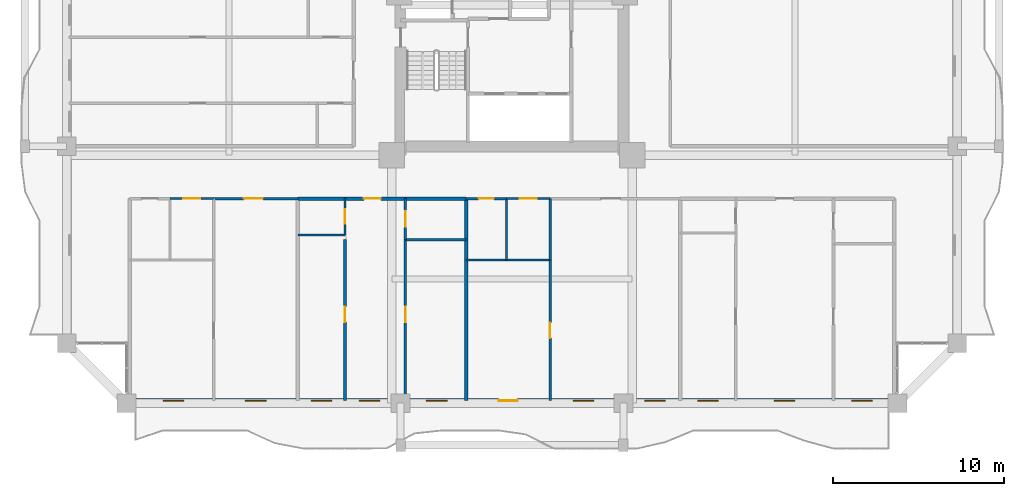
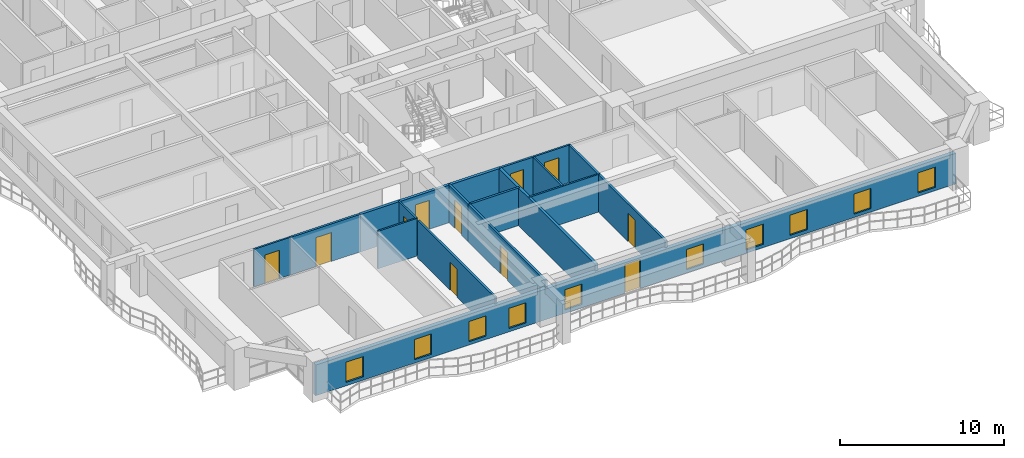
# One storey, part 14 of 27: 19 walls, 11 doors, 10 windows, 21 openings.
"""IFC4 building model written with IfcOpenShell, lengths in metres."""

from ifc_helpers import new_model, si_unit, direction, frame, frame_2d, origin, place, context, subcontext, project, spatial, rectangle, extrude, source, transform, mapped, material, layer, layer_set, type_object, element, fill, save


model = new_model("IFC4")

# Units and contexts
model_context = context("Model", 3, precision=1e-05, world=origin(), true_north=direction((0.0, 1.0)))
body_context = subcontext(model_context, "Body", "Model", "MODEL_VIEW")
ifc_project = project(units=[si_unit("LENGTHUNIT", "METRE"), si_unit("AREAUNIT", "SQUARE_METRE"), si_unit("VOLUMEUNIT", "CUBIC_METRE"), si_unit("PLANEANGLEUNIT", "RADIAN"), si_unit("MASSUNIT", "GRAM", prefix="KILO")], contexts=[model_context])

# Site, building, storey
site_placement = place(None, origin())
site = spatial("IfcSite", under=ifc_project, at=site_placement, CompositionType="ELEMENT")
building_placement = place(site_placement, origin())
building = spatial("IfcBuilding", under=site, at=building_placement, Name="Saelheon Loggia Tower", CompositionType="ELEMENT")
storey_placement = place(building_placement, frame((0.0, 0.0, 52.39990234375)))
storey = spatial("IfcBuildingStorey", under=building, at=storey_placement, Name="L16", CompositionType="ELEMENT", Elevation=52.39990234375)

# Wall, openings, windows, door
ifc_material_1 = material(Name="Architectural Precast Concrete C40/50", Category="concrete")
ifc_layer_1 = layer(ifc_material_1, 0.280029296875)
ifc_layer_set_1 = layer_set([ifc_layer_1], Name="Architectural Precast Concrete C40/50")
wall_type_1 = type_object("IfcWallType", Name="Wall_Ext_Loggia_280", PredefinedType="SOLIDWALL", material=ifc_layer_set_1)
wall_1_placement = place(storey_placement, frame((15.5, 3.139892578125, 0.0), z_axis=(0.0, 0.0, 1.0), x_axis=(1.0, 0.0, 0.0)))
wall_1 = element("IfcWall", 1, at=wall_1_placement, inside=storey, type_object=wall_type_1, Name="L16 South Loggia Inner Wall", PredefinedType="SOLIDWALL", context=body_context, shape_type="SweptSolid", body=[
    extrude(rectangle(XDim=45.0, YDim=0.280029296875, at=frame_2d((22.5, 0.0))), origin(), (0.0, 0.0, 1.0), 2.280029296875),
])
opening_1_placement = place(wall_1_placement, frame((2.135009765625, 0.0, 0.25)))
opening_1 = element("IfcOpeningElement", 2, at=opening_1_placement, cuts=wall_1, Name="Opening WN-03", PredefinedType="OPENING", context=body_context, shape_type="SweptSolid", body=[
    extrude(rectangle(XDim=1.199951171875, YDim=1.5, at=frame_2d((0.60009765625, 0.75))), frame((0.0, 0.152099609375, 0.0), z_axis=(0.0, -1.0, 0.0), x_axis=(1.0, 0.0, 0.0)), (0.0, 0.0, 1.0), 0.303955078125),
])
opening_2_placement = place(wall_1_placement, frame((6.9404296875, 0.0, 0.25)))
opening_2 = element("IfcOpeningElement", 3, at=opening_2_placement, cuts=wall_1, Name="Opening WN-03", PredefinedType="OPENING", context=body_context, shape_type="SweptSolid", body=[
    extrude(rectangle(XDim=1.199951171875, YDim=1.5, at=frame_2d((0.60009765625, 0.75))), frame((0.0, 0.152099609375, 0.0), z_axis=(0.0, -1.0, 0.0), x_axis=(1.0, 0.0, 0.0)), (0.0, 0.0, 1.0), 0.303955078125),
])
opening_3_placement = place(wall_1_placement, frame((10.775634765625, 0.0, 0.25)))
opening_3 = element("IfcOpeningElement", 4, at=opening_3_placement, cuts=wall_1, Name="Opening WN-03", PredefinedType="OPENING", context=body_context, shape_type="SweptSolid", body=[
    extrude(rectangle(XDim=1.199951171875, YDim=1.5, at=frame_2d((0.60009765625, 0.75))), frame((0.0, 0.152099609375, 0.0), z_axis=(0.0, -1.0, 0.0), x_axis=(1.0, 0.0, 0.0)), (0.0, 0.0, 1.0), 0.303955078125),
])
opening_4_placement = place(wall_1_placement, frame((13.580322265625, 0.0, 0.25)))
opening_4 = element("IfcOpeningElement", 5, at=opening_4_placement, cuts=wall_1, Name="Opening WN-03", PredefinedType="OPENING", context=body_context, shape_type="SweptSolid", body=[
    extrude(rectangle(XDim=1.199951171875, YDim=1.5, at=frame_2d((0.60009765625, 0.75))), frame((0.0, 0.152099609375, 0.0), z_axis=(0.0, -1.0, 0.0), x_axis=(1.0, 0.0, 0.0)), (0.0, 0.0, 1.0), 0.303955078125),
])
opening_5_placement = place(wall_1_placement, frame((17.505859375, 0.0, 0.25)))
opening_5 = element("IfcOpeningElement", 6, at=opening_5_placement, cuts=wall_1, Name="Opening WN-03", PredefinedType="OPENING", context=body_context, shape_type="SweptSolid", body=[
    extrude(rectangle(XDim=1.199951171875, YDim=1.5, at=frame_2d((0.60009765625, 0.75))), frame((0.0, 0.152099609375, 0.0), z_axis=(0.0, -1.0, 0.0), x_axis=(1.0, 0.0, 0.0)), (0.0, 0.0, 1.0), 0.303955078125),
])
opening_6_placement = place(wall_1_placement, frame((22.82177734375, 0.0, 0.0), z_axis=(0.0, 0.0, 1.0), x_axis=(-1.0, 0.0, 0.0)))
opening_6 = element("IfcOpeningElement", 7, at=opening_6_placement, cuts=wall_1, Name="Opening TD1", PredefinedType="OPENING", context=body_context, shape_type="SweptSolid", body=[
    extrude(rectangle(XDim=1.10009765625, YDim=2.14990234375, at=frame_2d((0.550048828125, 1.074951171875))), frame((0.0, 0.152099609375, 0.0), z_axis=(0.0, -1.0, 0.0), x_axis=(1.0, 0.0, 0.0)), (0.0, 0.0, 1.0), 0.303955078125),
])
opening_7_placement = place(wall_1_placement, frame((26.06591796875, 0.0, 0.25)))
opening_7 = element("IfcOpeningElement", 8, at=opening_7_placement, cuts=wall_1, Name="Opening WN-03", PredefinedType="OPENING", context=body_context, shape_type="SweptSolid", body=[
    extrude(rectangle(XDim=1.199951171875, YDim=1.5, at=frame_2d((0.60009765625, 0.75))), frame((0.0, 0.152099609375, 0.0), z_axis=(0.0, -1.0, 0.0), x_axis=(1.0, 0.0, 0.0)), (0.0, 0.0, 1.0), 0.303955078125),
])
opening_8_placement = place(wall_1_placement, frame((30.25537109375, 0.0, 0.25)))
opening_8 = element("IfcOpeningElement", 9, at=opening_8_placement, cuts=wall_1, Name="Opening WN-03", PredefinedType="OPENING", context=body_context, shape_type="SweptSolid", body=[
    extrude(rectangle(XDim=1.199951171875, YDim=1.5, at=frame_2d((0.60009765625, 0.75))), frame((0.0, 0.152099609375, 0.0), z_axis=(0.0, -1.0, 0.0), x_axis=(1.0, 0.0, 0.0)), (0.0, 0.0, 1.0), 0.303955078125),
])
opening_9_placement = place(wall_1_placement, frame((33.345703125, 0.0, 0.25)))
opening_9 = element("IfcOpeningElement", 10, at=opening_9_placement, cuts=wall_1, Name="Opening WN-03", PredefinedType="OPENING", context=body_context, shape_type="SweptSolid", body=[
    extrude(rectangle(XDim=1.199951171875, YDim=1.5, at=frame_2d((0.60009765625, 0.75))), frame((0.0, 0.152099609375, 0.0), z_axis=(0.0, -1.0, 0.0), x_axis=(1.0, 0.0, 0.0)), (0.0, 0.0, 1.0), 0.303955078125),
])
opening_10_placement = place(wall_1_placement, frame((37.8212890625, 0.0, 0.25)))
opening_10 = element("IfcOpeningElement", 11, at=opening_10_placement, cuts=wall_1, Name="Opening WN-03", PredefinedType="OPENING", context=body_context, shape_type="SweptSolid", body=[
    extrude(rectangle(XDim=1.199951171875, YDim=1.5, at=frame_2d((0.60009765625, 0.75))), frame((0.0, 0.152099609375, 0.0), z_axis=(0.0, -1.0, 0.0), x_axis=(1.0, 0.0, 0.0)), (0.0, 0.0, 1.0), 0.303955078125),
])
opening_11_placement = place(wall_1_placement, frame((42.341064453125, 0.0, 0.25)))
opening_11 = element("IfcOpeningElement", 12, at=opening_11_placement, cuts=wall_1, Name="Opening WN-03", PredefinedType="OPENING", context=body_context, shape_type="SweptSolid", body=[
    extrude(rectangle(XDim=1.199951171875, YDim=1.5, at=frame_2d((0.60009765625, 0.75))), frame((0.0, 0.152099609375, 0.0), z_axis=(0.0, -1.0, 0.0), x_axis=(1.0, 0.0, 0.0)), (0.0, 0.0, 1.0), 0.303955078125),
])
ifc_material_2 = material(Name="Thermal-Break Aluminium and Triple Low-E Glass", Category="aluminium")
window_type = type_object("IfcWindowType", Name="Win_Bedroom_1200x1500", PartitioningType="SINGLE_PANEL", PredefinedType="WINDOW", material=ifc_material_2)
shared_shape_1 = source(origin(), body_context, "Body", "SweptSolid", [
    extrude(rectangle(XDim=1.199951171875, YDim=1.5, at=frame_2d((0.60009765625, 0.75))), frame((0.0, 0.030029296875, 0.0), z_axis=(0.0, -1.0, 0.0), x_axis=(1.0, 0.0, 0.0)), (0.0, 0.0, 1.0), 0.06005859375),
])
window_1_placement = place(opening_1_placement, origin())
window_1 = element("IfcWindow", 13, at=window_1_placement, inside=storey, type_object=window_type, Name="L16 S Dwelling Window 1", OverallHeight=1.5, OverallWidth=1.199951171875, PartitioningType="SINGLE_PANEL", PredefinedType="WINDOW", context=body_context, shape_type="MappedRepresentation", body=[
    mapped(shared_shape_1, transform((0.0, 0.0, 0.0), scale=1.0)),
])
fill(opening_1, window_1)
window_2_placement = place(opening_2_placement, origin())
window_2 = element("IfcWindow", 14, at=window_2_placement, inside=storey, type_object=window_type, Name="L16 S Dwelling Window 2", OverallHeight=1.5, OverallWidth=1.199951171875, PartitioningType="SINGLE_PANEL", PredefinedType="WINDOW", context=body_context, shape_type="MappedRepresentation", body=[
    mapped(shared_shape_1, transform((0.0, 0.0, 0.0), scale=1.0)),
])
fill(opening_2, window_2)
window_3_placement = place(opening_3_placement, origin())
window_3 = element("IfcWindow", 15, at=window_3_placement, inside=storey, type_object=window_type, Name="L16 S Dwelling Window 3", OverallHeight=1.5, OverallWidth=1.199951171875, PartitioningType="SINGLE_PANEL", PredefinedType="WINDOW", context=body_context, shape_type="MappedRepresentation", body=[
    mapped(shared_shape_1, transform((0.0, 0.0, 0.0), scale=1.0)),
])
fill(opening_3, window_3)
window_4_placement = place(opening_4_placement, origin())
window_4 = element("IfcWindow", 16, at=window_4_placement, inside=storey, type_object=window_type, Name="L16 S Dwelling Window 4", OverallHeight=1.5, OverallWidth=1.199951171875, PartitioningType="SINGLE_PANEL", PredefinedType="WINDOW", context=body_context, shape_type="MappedRepresentation", body=[
    mapped(shared_shape_1, transform((0.0, 0.0, 0.0), scale=1.0)),
])
fill(opening_4, window_4)
window_5_placement = place(opening_5_placement, origin())
window_5 = element("IfcWindow", 17, at=window_5_placement, inside=storey, type_object=window_type, Name="L16 S Dwelling Window 5", OverallHeight=1.5, OverallWidth=1.199951171875, PartitioningType="SINGLE_PANEL", PredefinedType="WINDOW", context=body_context, shape_type="MappedRepresentation", body=[
    mapped(shared_shape_1, transform((0.0, 0.0, 0.0), scale=1.0)),
])
fill(opening_5, window_5)
window_6_placement = place(opening_7_placement, origin())
window_6 = element("IfcWindow", 18, at=window_6_placement, inside=storey, type_object=window_type, Name="L16 S Dwelling Window 7", OverallHeight=1.5, OverallWidth=1.199951171875, PartitioningType="SINGLE_PANEL", PredefinedType="WINDOW", context=body_context, shape_type="MappedRepresentation", body=[
    mapped(shared_shape_1, transform((0.0, 0.0, 0.0), scale=1.0)),
])
fill(opening_7, window_6)
window_7_placement = place(opening_8_placement, origin())
window_7 = element("IfcWindow", 19, at=window_7_placement, inside=storey, type_object=window_type, Name="L16 S Dwelling Window 8", OverallHeight=1.5, OverallWidth=1.199951171875, PartitioningType="SINGLE_PANEL", PredefinedType="WINDOW", context=body_context, shape_type="MappedRepresentation", body=[
    mapped(shared_shape_1, transform((0.0, 0.0, 0.0), scale=1.0)),
])
fill(opening_8, window_7)
window_8_placement = place(opening_9_placement, origin())
window_8 = element("IfcWindow", 20, at=window_8_placement, inside=storey, type_object=window_type, Name="L16 S Dwelling Window 9", OverallHeight=1.5, OverallWidth=1.199951171875, PartitioningType="SINGLE_PANEL", PredefinedType="WINDOW", context=body_context, shape_type="MappedRepresentation", body=[
    mapped(shared_shape_1, transform((0.0, 0.0, 0.0), scale=1.0)),
])
fill(opening_9, window_8)
window_9_placement = place(opening_10_placement, origin())
window_9 = element("IfcWindow", 21, at=window_9_placement, inside=storey, type_object=window_type, Name="L16 S Dwelling Window 10", OverallHeight=1.5, OverallWidth=1.199951171875, PartitioningType="SINGLE_PANEL", PredefinedType="WINDOW", context=body_context, shape_type="MappedRepresentation", body=[
    mapped(shared_shape_1, transform((0.0, 0.0, 0.0), scale=1.0)),
])
fill(opening_10, window_9)
window_10_placement = place(opening_11_placement, origin())
window_10 = element("IfcWindow", 22, at=window_10_placement, inside=storey, type_object=window_type, Name="L16 S Dwelling Window 11", OverallHeight=1.5, OverallWidth=1.199951171875, PartitioningType="SINGLE_PANEL", PredefinedType="WINDOW", context=body_context, shape_type="MappedRepresentation", body=[
    mapped(shared_shape_1, transform((0.0, 0.0, 0.0), scale=1.0)),
])
fill(opening_11, window_10)
ifc_material_3 = material(Name="Thermal-Break Aluminium Glazed Door", Category="aluminium")
door_type_1 = type_object("IfcDoorType", Name="Door_Terrace_TD1", OperationType="NOTDEFINED", PredefinedType="DOOR", material=ifc_material_3)
shared_shape_2 = source(origin(), body_context, "Body", "SweptSolid", [
    extrude(rectangle(XDim=1.10009765625, YDim=2.14990234375, at=frame_2d((0.550048828125, 1.074951171875))), frame((0.0, 0.02490234375, 0.0), z_axis=(0.0, -1.0, 0.0), x_axis=(1.0, 0.0, 0.0)), (0.0, 0.0, 1.0), 0.050048828125),
])
door_1_placement = place(opening_6_placement, origin())
door_1 = element("IfcDoor", 23, at=door_1_placement, inside=storey, type_object=door_type_1, Name="L16 S Loggia Access Door", OperationType="SINGLE_SWING_RIGHT", OverallHeight=2.14990234375, OverallWidth=1.10009765625, PredefinedType="DOOR", context=body_context, shape_type="MappedRepresentation", body=[
    mapped(shared_shape_2, transform((0.0, 0.0, 0.0), scale=1.0)),
])
fill(opening_6, door_1)

# Wall, opening, door
ifc_material_4 = material(Name="Lightweight Autoclaved Aerated Concrete Block and Acoustic Gypsum", Category="concrete")
ifc_layer_2 = layer(ifc_material_4, 0.14990234375)
ifc_layer_set_2 = layer_set([ifc_layer_2], Name="Lightweight Autoclaved Aerated Concrete Block and Acoustic Gypsum")
wall_type_2 = type_object("IfcWallType", Name="Wall_Part_150", PredefinedType="PARTITIONING", material=ifc_layer_set_2)
wall_2_placement = place(storey_placement, frame((20.580078125, 14.949951171875, 0.0), z_axis=(0.0, 0.0, 1.0), x_axis=(1.0, 0.0, 0.0)))
wall_2 = element("IfcWall", 24, at=wall_2_placement, inside=storey, type_object=wall_type_2, Name="L16 S Partition V09", PredefinedType="PARTITIONING", context=body_context, shape_type="SweptSolid", body=[
    extrude(rectangle(XDim=4.920654296875, YDim=0.14990234375, at=frame_2d((2.46044921875, 0.0))), origin(), (0.0, 0.0, 1.0), 2.7900390625),
])
opening_12_placement = place(wall_2_placement, frame((1.77294921875, 0.0, 0.0)))
opening_12 = element("IfcOpeningElement", 25, at=opening_12_placement, cuts=wall_2, Name="Opening D-FD2", PredefinedType="OPENING", context=body_context, shape_type="SweptSolid", body=[
    extrude(rectangle(XDim=1.10009765625, YDim=2.14990234375, at=frame_2d((0.550048828125, 1.074951171875))), frame((0.0, 0.0869140625, 0.0), z_axis=(0.0, -1.0, 0.0), x_axis=(1.0, 0.0, 0.0)), (0.0, 0.0, 1.0), 0.173828125),
])
ifc_material_5 = material(Name="Galvanised Steel Fire Door", Category="steel")
door_type_2 = type_object("IfcDoorType", Name="Door_Fire_FD60_1100", OperationType="NOTDEFINED", PredefinedType="DOOR", material=ifc_material_5)
door_2_placement = place(opening_12_placement, origin())
door_2 = element("IfcDoor", 26, at=door_2_placement, inside=storey, type_object=door_type_2, Name="L16 Community Reading Library Door A", OperationType="SINGLE_SWING_RIGHT", OverallHeight=2.14990234375, OverallWidth=1.10009765625, PredefinedType="DOOR", context=body_context, shape_type="MappedRepresentation", body=[
    mapped(shared_shape_2, transform((0.0, 0.0, 0.0), scale=1.0)),
])
fill(opening_12, door_2)

# Wall
wall_3_placement = place(storey_placement, frame((31.780029296875, 12.550048828125, 0.0), z_axis=(0.0, 0.0, 1.0), x_axis=(1.0, 0.0, 0.0)))
element("IfcWall", 27, at=wall_3_placement, inside=storey, type_object=wall_type_2, Name="L16 S Partition V15", PredefinedType="PARTITIONING", context=body_context, shape_type="SweptSolid", body=[
    extrude(rectangle(XDim=3.54150390625, YDim=0.14990234375, at=frame_2d((1.770751953125, 0.0))), origin(), (0.0, 0.0, 1.0), 2.7900390625),
])

# Wall, opening, door
wall_4_placement = place(storey_placement, frame((28.25048828125, 12.550048828125, 0.0), z_axis=(0.0, 0.0, 1.0), x_axis=(0.0, -1.0, 0.0)))
wall_4 = element("IfcWall", 28, at=wall_4_placement, inside=storey, type_object=wall_type_2, Name="L16 S Partition U17", PredefinedType="PARTITIONING", context=body_context, shape_type="SweptSolid", body=[
    extrude(rectangle(XDim=9.400146484375, YDim=0.14990234375, at=frame_2d((4.7001953125, 0.0))), origin(), (0.0, 0.0, 1.0), 2.7900390625),
])
opening_13_placement = place(wall_4_placement, frame((3.915771484375, 0.0, 0.0)))
opening_13 = element("IfcOpeningElement", 29, at=opening_13_placement, cuts=wall_4, Name="Opening D-IN2", PredefinedType="OPENING", context=body_context, shape_type="SweptSolid", body=[
    extrude(rectangle(XDim=0.89990234375, YDim=2.10009765625, at=frame_2d((0.449951171875, 1.050048828125))), frame((0.0, 0.0869140625, 0.0), z_axis=(0.0, -1.0, 0.0), x_axis=(1.0, 0.0, 0.0)), (0.0, 0.0, 1.0), 0.173828125),
])
ifc_material_6 = material(Name="Engineered Oak Flush Door", Category="timber")
door_type_3 = type_object("IfcDoorType", Name="Door_Int_900", OperationType="NOTDEFINED", PredefinedType="DOOR", material=ifc_material_6)
shared_shape_3 = source(origin(), body_context, "Body", "SweptSolid", [
    extrude(rectangle(XDim=0.89990234375, YDim=2.10009765625, at=frame_2d((0.449951171875, 1.050048828125))), frame((0.0, 0.02490234375, 0.0), z_axis=(0.0, -1.0, 0.0), x_axis=(1.0, 0.0, 0.0)), (0.0, 0.0, 1.0), 0.050048828125),
])
door_3_placement = place(opening_13_placement, origin())
door_3 = element("IfcDoor", 30, at=door_3_placement, inside=storey, type_object=door_type_3, Name="Unit U01 Kitchen Door", OperationType="SINGLE_SWING_LEFT", OverallHeight=2.10009765625, OverallWidth=0.89990234375, PredefinedType="DOOR", context=body_context, shape_type="MappedRepresentation", body=[
    mapped(shared_shape_3, transform((0.0, 0.0, 0.0), scale=1.0)),
])
fill(opening_13, door_3)

wall_5_placement = place(storey_placement, frame((31.780029296875, 14.949951171875, 0.0), z_axis=(0.0, 0.0, 1.0), x_axis=(0.0, -1.0, 0.0)))
wall_5 = element("IfcWall", 31, at=wall_5_placement, inside=storey, type_object=wall_type_2, Name="L16 S Partition U18", PredefinedType="PARTITIONING", context=body_context, shape_type="SweptSolid", body=[
    extrude(rectangle(XDim=2.39990234375, YDim=0.14990234375, at=frame_2d((1.199951171875, 0.0))), origin(), (0.0, 0.0, 1.0), 2.7900390625),
])
opening_14_placement = place(wall_5_placement, frame((0.75, 0.0, 0.0)))
opening_14 = element("IfcOpeningElement", 32, at=opening_14_placement, cuts=wall_5, Name="Opening D-IN2", PredefinedType="OPENING", context=body_context, shape_type="SweptSolid", body=[
    extrude(rectangle(XDim=0.89990234375, YDim=2.10009765625, at=frame_2d((0.449951171875, 1.050048828125))), frame((0.0, 0.0869140625, 0.0), z_axis=(0.0, -1.0, 0.0), x_axis=(1.0, 0.0, 0.0)), (0.0, 0.0, 1.0), 0.173828125),
])
door_4_placement = place(opening_14_placement, origin())
door_4 = element("IfcDoor", 33, at=door_4_placement, inside=storey, type_object=door_type_3, Name="Unit U01 Dressing Closet Door", OperationType="SINGLE_SWING_RIGHT", OverallHeight=2.10009765625, OverallWidth=0.89990234375, PredefinedType="DOOR", context=body_context, shape_type="MappedRepresentation", body=[
    mapped(shared_shape_3, transform((0.0, 0.0, 0.0), scale=1.0)),
])
fill(opening_14, door_4)

wall_6_placement = place(storey_placement, frame((31.780029296875, 12.550048828125, 0.0), z_axis=(0.0, 0.0, 1.0), x_axis=(0.0, -1.0, 0.0)))
wall_6 = element("IfcWall", 34, at=wall_6_placement, inside=storey, type_object=wall_type_2, Name="L16 S Partition U19", PredefinedType="PARTITIONING", context=body_context, shape_type="SweptSolid", body=[
    extrude(rectangle(XDim=9.400146484375, YDim=0.14990234375, at=frame_2d((4.7001953125, 0.0))), origin(), (0.0, 0.0, 1.0), 2.7900390625),
])
opening_15_placement = place(wall_6_placement, frame((3.915771484375, 0.0, 0.0)))
opening_15 = element("IfcOpeningElement", 35, at=opening_15_placement, cuts=wall_6, Name="Opening D-IN2", PredefinedType="OPENING", context=body_context, shape_type="SweptSolid", body=[
    extrude(rectangle(XDim=0.89990234375, YDim=2.10009765625, at=frame_2d((0.449951171875, 1.050048828125))), frame((0.0, 0.0869140625, 0.0), z_axis=(0.0, -1.0, 0.0), x_axis=(1.0, 0.0, 0.0)), (0.0, 0.0, 1.0), 0.173828125),
])
door_5_placement = place(opening_15_placement, origin())
door_5 = element("IfcDoor", 36, at=door_5_placement, inside=storey, type_object=door_type_3, Name="Unit U01 Bedroom 1 Door", OperationType="SINGLE_SWING_LEFT", OverallHeight=2.10009765625, OverallWidth=0.89990234375, PredefinedType="DOOR", context=body_context, shape_type="MappedRepresentation", body=[
    mapped(shared_shape_3, transform((0.0, 0.0, 0.0), scale=1.0)),
])
fill(opening_15, door_5)

# Wall
wall_7_placement = place(storey_placement, frame((40.2216796875, 14.949951171875, 0.0), z_axis=(0.0, 0.0, 1.0), x_axis=(0.0, -1.0, 0.0)))
element("IfcWall", 37, at=wall_7_placement, inside=storey, type_object=wall_type_2, Name="L16 S Partition U22", PredefinedType="PARTITIONING", context=body_context, shape_type="SweptSolid", body=[
    extrude(rectangle(XDim=3.599853515625, YDim=0.14990234375, at=frame_2d((1.7998046875, 0.0))), origin(), (0.0, 0.0, 1.0), 2.7900390625),
])

# Wall, opening, door
wall_8_placement = place(storey_placement, frame((40.2216796875, 11.35009765625, 0.0), z_axis=(0.0, 0.0, 1.0), x_axis=(0.0, -1.0, 0.0)))
wall_8 = element("IfcWall", 38, at=wall_8_placement, inside=storey, type_object=wall_type_2, Name="L16 S Partition U23", PredefinedType="PARTITIONING", context=body_context, shape_type="SweptSolid", body=[
    extrude(rectangle(XDim=8.2001953125, YDim=0.14990234375, at=frame_2d((4.10009765625, 0.0))), origin(), (0.0, 0.0, 1.0), 2.7900390625),
])
opening_16_placement = place(wall_8_placement, frame((3.64990234375, 0.0, 0.0)))
opening_16 = element("IfcOpeningElement", 39, at=opening_16_placement, cuts=wall_8, Name="Opening D-IN2", PredefinedType="OPENING", context=body_context, shape_type="SweptSolid", body=[
    extrude(rectangle(XDim=0.89990234375, YDim=2.10009765625, at=frame_2d((0.449951171875, 1.050048828125))), frame((0.0, 0.0869140625, 0.0), z_axis=(0.0, -1.0, 0.0), x_axis=(1.0, 0.0, 0.0)), (0.0, 0.0, 1.0), 0.173828125),
])
door_6_placement = place(opening_16_placement, origin())
door_6 = element("IfcDoor", 40, at=door_6_placement, inside=storey, type_object=door_type_3, Name="L16 Reading Alcove Door", OperationType="SINGLE_SWING_RIGHT", OverallHeight=2.10009765625, OverallWidth=0.89990234375, PredefinedType="DOOR", context=body_context, shape_type="MappedRepresentation", body=[
    mapped(shared_shape_3, transform((0.0, 0.0, 0.0), scale=1.0)),
])
fill(opening_16, door_6)

wall_9_placement = place(storey_placement, frame((35.321533203125, 14.949951171875, 0.0), z_axis=(0.0, 0.0, 1.0), x_axis=(1.0, 0.0, 0.0)))
wall_9 = element("IfcWall", 41, at=wall_9_placement, inside=storey, type_object=wall_type_2, Name="L16 S Partition V25", PredefinedType="PARTITIONING", context=body_context, shape_type="SweptSolid", body=[
    extrude(rectangle(XDim=2.35009765625, YDim=0.14990234375, at=frame_2d((1.175048828125, 0.0))), origin(), (0.0, 0.0, 1.0), 2.7900390625),
])
opening_17_placement = place(wall_9_placement, frame((0.72509765625, 0.0, 0.0)))
opening_17 = element("IfcOpeningElement", 42, at=opening_17_placement, cuts=wall_9, Name="Opening D-IN2", PredefinedType="OPENING", context=body_context, shape_type="SweptSolid", body=[
    extrude(rectangle(XDim=0.89990234375, YDim=2.10009765625, at=frame_2d((0.449951171875, 1.050048828125))), frame((0.0, 0.0869140625, 0.0), z_axis=(0.0, -1.0, 0.0), x_axis=(1.0, 0.0, 0.0)), (0.0, 0.0, 1.0), 0.173828125),
])
door_7_placement = place(opening_17_placement, origin())
door_7 = element("IfcDoor", 43, at=door_7_placement, inside=storey, type_object=door_type_3, Name="L16 Community Pantry Door", OperationType="SINGLE_SWING_LEFT", OverallHeight=2.10009765625, OverallWidth=0.89990234375, PredefinedType="DOOR", context=body_context, shape_type="MappedRepresentation", body=[
    mapped(shared_shape_3, transform((0.0, 0.0, 0.0), scale=1.0)),
])
fill(opening_17, door_7)

# Wall
ifc_material_7 = material(Name="Double Acoustic Stud and Fireboard Partition", Category="gypsum")
ifc_layer_3 = layer(ifc_material_7, 0.199951171875)
ifc_layer_set_3 = layer_set([ifc_layer_3], Name="Double Acoustic Stud and Fireboard Partition")
wall_type_3 = type_object("IfcWallType", Name="Wall_Party_200", PredefinedType="PARTITIONING", material=ifc_layer_set_3)
wall_10_placement = place(storey_placement, frame((25.500732421875, 14.949951171875, 0.0), z_axis=(0.0, 0.0, 1.0), x_axis=(1.0, 0.0, 0.0)))
element("IfcWall", 44, at=wall_10_placement, inside=storey, type_object=wall_type_3, Name="L16 S Partition V11", PredefinedType="PARTITIONING", context=body_context, shape_type="SweptSolid", body=[
    extrude(rectangle(XDim=2.749755859375, YDim=0.199951171875, at=frame_2d((1.375, 0.0))), origin(), (0.0, 0.0, 1.0), 2.7900390625),
])

# Wall, opening, door
wall_11_placement = place(storey_placement, frame((28.25048828125, 14.949951171875, 0.0), z_axis=(0.0, 0.0, 1.0), x_axis=(1.0, 0.0, 0.0)))
wall_11 = element("IfcWall", 45, at=wall_11_placement, inside=storey, type_object=wall_type_3, Name="L16 S Partition V12", PredefinedType="PARTITIONING", context=body_context, shape_type="SweptSolid", body=[
    extrude(rectangle(XDim=3.529541015625, YDim=0.199951171875, at=frame_2d((1.7646484375, 0.0))), origin(), (0.0, 0.0, 1.0), 2.7900390625),
])
opening_18_placement = place(wall_11_placement, frame((1.097412109375, 0.0, 0.0)))
opening_18 = element("IfcOpeningElement", 46, at=opening_18_placement, cuts=wall_11, Name="Opening D-FD1", PredefinedType="OPENING", context=body_context, shape_type="SweptSolid", body=[
    extrude(rectangle(XDim=1.0, YDim=2.14990234375, at=frame_2d((0.5, 1.074951171875))), frame((0.0, 0.112060546875, 0.0), z_axis=(0.0, -1.0, 0.0), x_axis=(1.0, 0.0, 0.0)), (0.0, 0.0, 1.0), 0.223876953125),
])
ifc_material_8 = material(Name="Fire-Rated Engineered Timber Entrance Door", Category="wood")
door_type_4 = type_object("IfcDoorType", Name="Door_Flat_FD30S", OperationType="NOTDEFINED", PredefinedType="DOOR", material=ifc_material_8)
shared_shape_4 = source(origin(), body_context, "Body", "SweptSolid", [
    extrude(rectangle(XDim=1.0, YDim=2.14990234375, at=frame_2d((0.5, 1.074951171875))), frame((0.0, 0.02490234375, 0.0), z_axis=(0.0, -1.0, 0.0), x_axis=(1.0, 0.0, 0.0)), (0.0, 0.0, 1.0), 0.050048828125),
])
door_8_placement = place(opening_18_placement, origin())
door_8 = element("IfcDoor", 47, at=door_8_placement, inside=storey, type_object=door_type_4, Name="Unit U01 Entrance Door", OperationType="SINGLE_SWING_LEFT", OverallHeight=2.14990234375, OverallWidth=1.0, PredefinedType="DOOR", context=body_context, shape_type="MappedRepresentation", body=[
    mapped(shared_shape_4, transform((0.0, 0.0, 0.0), scale=1.0)),
])
fill(opening_18, door_8)

# Walls
wall_12_placement = place(storey_placement, frame((31.780029296875, 14.949951171875, 0.0), z_axis=(0.0, 0.0, 1.0), x_axis=(1.0, 0.0, 0.0)))
element("IfcWall", 48, at=wall_12_placement, inside=storey, type_object=wall_type_3, Name="L16 S Partition V13", PredefinedType="PARTITIONING", context=body_context, shape_type="SweptSolid", body=[
    extrude(rectangle(XDim=3.54150390625, YDim=0.199951171875, at=frame_2d((1.770751953125, 0.0))), origin(), (0.0, 0.0, 1.0), 2.7900390625),
])
wall_13_placement = place(storey_placement, frame((35.321533203125, 14.949951171875, 0.0), z_axis=(0.0, 0.0, 1.0), x_axis=(0.0, -1.0, 0.0)))
element("IfcWall", 49, at=wall_13_placement, inside=storey, type_object=wall_type_3, Name="L16 S Partition U20", PredefinedType="PARTITIONING", context=body_context, shape_type="SweptSolid", body=[
    extrude(rectangle(XDim=11.800048828125, YDim=0.199951171875, at=frame_2d((5.89990234375, 0.0))), origin(), (0.0, 0.0, 1.0), 2.7900390625),
])

# Wall, opening, door
ifc_material_9 = material(Name="Moisture-Resistant Cement Board Partition", Category="gypsum")
ifc_layer_4 = layer(ifc_material_9, 0.1201171875)
ifc_layer_set_4 = layer_set([ifc_layer_4], Name="Moisture-Resistant Cement Board Partition")
wall_type_4 = type_object("IfcWallType", Name="Wall_WetPart_120", PredefinedType="PARTITIONING", material=ifc_layer_set_4)
wall_14_placement = place(storey_placement, frame((18.030029296875, 14.949951171875, 0.0), z_axis=(0.0, 0.0, 1.0), x_axis=(1.0, 0.0, 0.0)))
wall_14 = element("IfcWall", 50, at=wall_14_placement, inside=storey, type_object=wall_type_4, Name="L16 S Partition V08", PredefinedType="PARTITIONING", context=body_context, shape_type="SweptSolid", body=[
    extrude(rectangle(XDim=2.550048828125, YDim=0.1201171875, at=frame_2d((1.27490234375, 0.0))), origin(), (0.0, 0.0, 1.0), 2.7900390625),
])
opening_19_placement = place(wall_14_placement, frame((0.77490234375, 0.0, 0.0)))
opening_19 = element("IfcOpeningElement", 51, at=opening_19_placement, cuts=wall_14, Name="Opening D-AC1", PredefinedType="OPENING", context=body_context, shape_type="SweptSolid", body=[
    extrude(rectangle(XDim=1.0, YDim=2.10009765625, at=frame_2d((0.5, 1.050048828125))), frame((0.0, 0.072021484375, 0.0), z_axis=(0.0, -1.0, 0.0), x_axis=(1.0, 0.0, 0.0)), (0.0, 0.0, 1.0), 0.14404296875),
])
ifc_material_10 = material(Name="Accessible Laminate Flush Door", Category="timber")
door_type_5 = type_object("IfcDoorType", Name="Door_Acc_1000", OperationType="NOTDEFINED", PredefinedType="DOOR", material=ifc_material_10)
shared_shape_5 = source(origin(), body_context, "Body", "SweptSolid", [
    extrude(rectangle(XDim=1.0, YDim=2.10009765625, at=frame_2d((0.5, 1.050048828125))), frame((0.0, 0.02490234375, 0.0), z_axis=(0.0, -1.0, 0.0), x_axis=(1.0, 0.0, 0.0)), (0.0, 0.0, 1.0), 0.050048828125),
])
door_9_placement = place(opening_19_placement, origin())
door_9 = element("IfcDoor", 52, at=door_9_placement, inside=storey, type_object=door_type_5, Name="L16 Common Washroom Door", OperationType="SINGLE_SWING_LEFT", OverallHeight=2.10009765625, OverallWidth=1.0, PredefinedType="DOOR", context=body_context, shape_type="MappedRepresentation", body=[
    mapped(shared_shape_5, transform((0.0, 0.0, 0.0), scale=1.0)),
])
fill(opening_19, door_9)

# Wall
wall_15_placement = place(storey_placement, frame((25.500732421875, 12.830078125, 0.0), z_axis=(0.0, 0.0, 1.0), x_axis=(1.0, 0.0, 0.0)))
element("IfcWall", 53, at=wall_15_placement, inside=storey, type_object=wall_type_4, Name="L16 S Partition V14", PredefinedType="PARTITIONING", context=body_context, shape_type="SweptSolid", body=[
    extrude(rectangle(XDim=2.749755859375, YDim=0.1201171875, at=frame_2d((1.375, 0.0))), origin(), (0.0, 0.0, 1.0), 2.7900390625),
])

# Wall, opening, door
wall_16_placement = place(storey_placement, frame((28.25048828125, 14.949951171875, 0.0), z_axis=(0.0, 0.0, 1.0), x_axis=(0.0, -1.0, 0.0)))
wall_16 = element("IfcWall", 54, at=wall_16_placement, inside=storey, type_object=wall_type_4, Name="L16 S Partition U16", PredefinedType="PARTITIONING", context=body_context, shape_type="SweptSolid", body=[
    extrude(rectangle(XDim=2.119873046875, YDim=0.1201171875, at=frame_2d((1.06005859375, 0.0))), origin(), (0.0, 0.0, 1.0), 2.7900390625),
])
opening_20_placement = place(wall_16_placement, frame((0.635009765625, 0.0, 0.0)))
opening_20 = element("IfcOpeningElement", 55, at=opening_20_placement, cuts=wall_16, Name="Opening D-BT1", PredefinedType="OPENING", context=body_context, shape_type="SweptSolid", body=[
    extrude(rectangle(XDim=0.85009765625, YDim=2.050048828125, at=frame_2d((0.425048828125, 1.02490234375))), frame((0.0, 0.072021484375, 0.0), z_axis=(0.0, -1.0, 0.0), x_axis=(1.0, 0.0, 0.0)), (0.0, 0.0, 1.0), 0.14404296875),
])
ifc_material_11 = material(Name="Moisture-Resistant Laminate Timber Door", Category="wood")
door_type_6 = type_object("IfcDoorType", Name="Door_Bath_850", OperationType="NOTDEFINED", PredefinedType="DOOR", material=ifc_material_11)
shared_shape_6 = source(origin(), body_context, "Body", "SweptSolid", [
    extrude(rectangle(XDim=0.85009765625, YDim=2.050048828125, at=frame_2d((0.425048828125, 1.02490234375))), frame((0.0, 0.02490234375, 0.0), z_axis=(0.0, -1.0, 0.0), x_axis=(1.0, 0.0, 0.0)), (0.0, 0.0, 1.0), 0.050048828125),
])
door_10_placement = place(opening_20_placement, origin())
door_10 = element("IfcDoor", 56, at=door_10_placement, inside=storey, type_object=door_type_6, Name="Unit U01 Bathroom Door", OperationType="SINGLE_SWING_RIGHT", OverallHeight=2.050048828125, OverallWidth=0.85009765625, PredefinedType="DOOR", context=body_context, shape_type="MappedRepresentation", body=[
    mapped(shared_shape_6, transform((0.0, 0.0, 0.0), scale=1.0)),
])
fill(opening_20, door_10)

# Walls
wall_17_placement = place(storey_placement, frame((37.671630859375, 14.949951171875, 0.0), z_axis=(0.0, 0.0, 1.0), x_axis=(0.0, -1.0, 0.0)))
element("IfcWall", 57, at=wall_17_placement, inside=storey, type_object=wall_type_4, Name="L16 S Partition U21", PredefinedType="PARTITIONING", context=body_context, shape_type="SweptSolid", body=[
    extrude(rectangle(XDim=3.599853515625, YDim=0.1201171875, at=frame_2d((1.7998046875, 0.0))), origin(), (0.0, 0.0, 1.0), 2.7900390625),
])
wall_18_placement = place(storey_placement, frame((35.321533203125, 11.35009765625, 0.0), z_axis=(0.0, 0.0, 1.0), x_axis=(1.0, 0.0, 0.0)))
element("IfcWall", 58, at=wall_18_placement, inside=storey, type_object=wall_type_4, Name="L16 S Partition V24", PredefinedType="PARTITIONING", context=body_context, shape_type="SweptSolid", body=[
    extrude(rectangle(XDim=4.900146484375, YDim=0.1201171875, at=frame_2d((2.4501953125, 0.0))), origin(), (0.0, 0.0, 1.0), 2.7900390625),
])

# Wall, opening, door
wall_19_placement = place(storey_placement, frame((37.671630859375, 14.949951171875, 0.0), z_axis=(0.0, 0.0, 1.0), x_axis=(1.0, 0.0, 0.0)))
wall_19 = element("IfcWall", 59, at=wall_19_placement, inside=storey, type_object=wall_type_4, Name="L16 S Partition V26", PredefinedType="PARTITIONING", context=body_context, shape_type="SweptSolid", body=[
    extrude(rectangle(XDim=2.550048828125, YDim=0.1201171875, at=frame_2d((1.27490234375, 0.0))), origin(), (0.0, 0.0, 1.0), 2.7900390625),
])
opening_21_placement = place(wall_19_placement, frame((0.77490234375, 0.0, 0.0)))
opening_21 = element("IfcOpeningElement", 60, at=opening_21_placement, cuts=wall_19, Name="Opening D-AC1", PredefinedType="OPENING", context=body_context, shape_type="SweptSolid", body=[
    extrude(rectangle(XDim=1.0, YDim=2.10009765625, at=frame_2d((0.5, 1.050048828125))), frame((0.0, 0.072021484375, 0.0), z_axis=(0.0, -1.0, 0.0), x_axis=(1.0, 0.0, 0.0)), (0.0, 0.0, 1.0), 0.14404296875),
])
door_11_placement = place(opening_21_placement, origin())
door_11 = element("IfcDoor", 61, at=door_11_placement, inside=storey, type_object=door_type_5, Name="L16 Common Washroom Door", OperationType="SINGLE_SWING_RIGHT", OverallHeight=2.10009765625, OverallWidth=1.0, PredefinedType="DOOR", context=body_context, shape_type="MappedRepresentation", body=[
    mapped(shared_shape_5, transform((0.0, 0.0, 0.0), scale=1.0)),
])
fill(opening_21, door_11)

save(model, "model.ifc")
